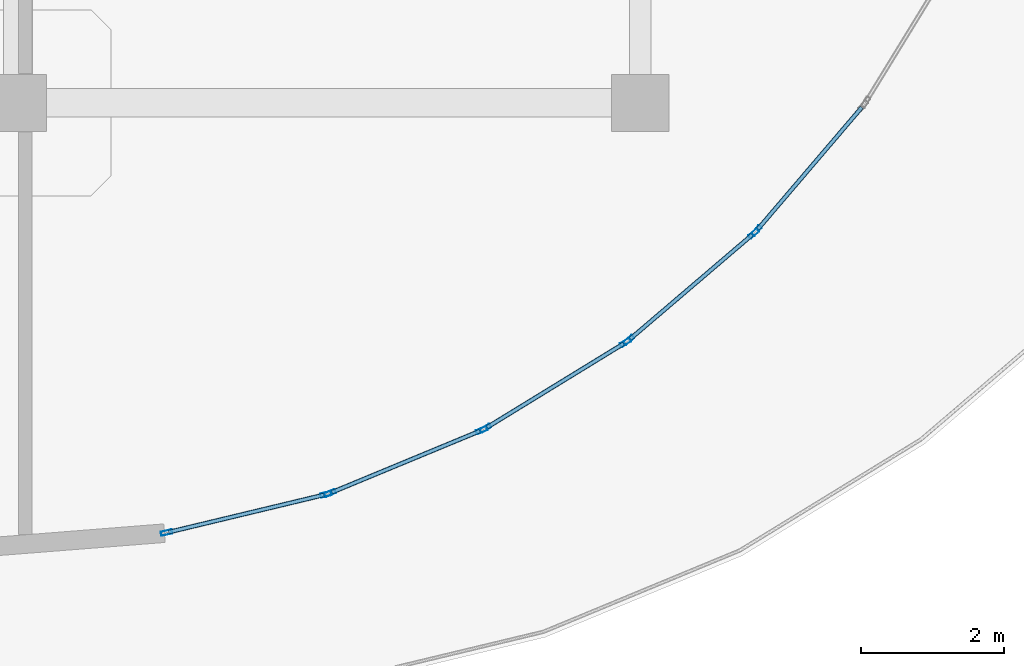
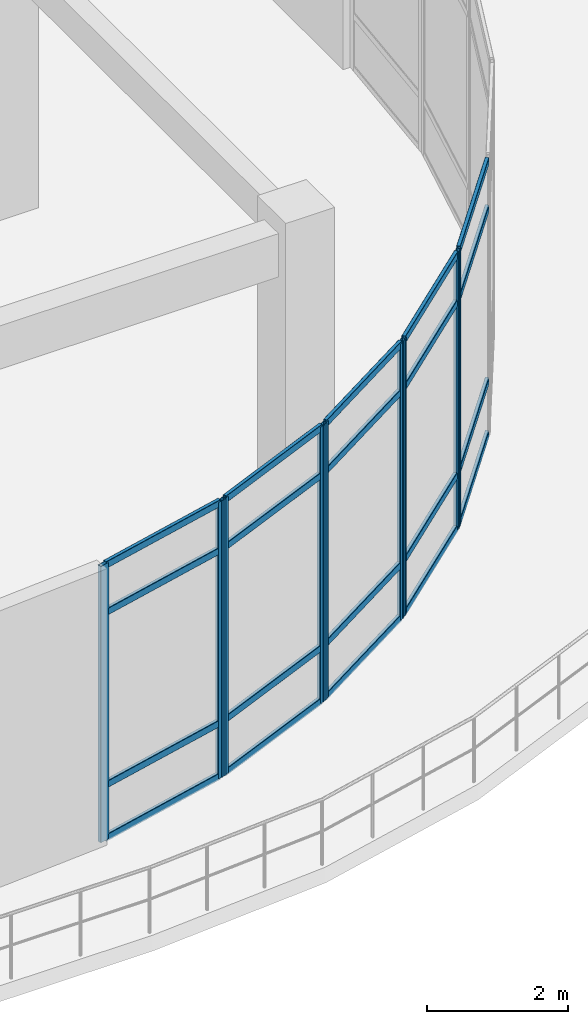
# One storey, part 71 of 124: 29 members, 5 elements without a shape of their own.
"""IFC4 building model written with IfcOpenShell, lengths in metres."""

from ifc_helpers import new_model, si_unit, derived_unit, direction, frame, origin, origin_2d, place, context, subcontext, project, spatial, hollow_rectangle, extrude, material, layer, layer_set, material_profile, profile_set, type_object, element, aggregate, save


model = new_model("IFC4")

# Units and contexts
model_context = context("Model", 3, precision=1e-05, world=origin(), true_north=direction((0.0, 1.0)))
body_context = subcontext(model_context, "Body", "Model", "MODEL_VIEW")
ifc_project = project(units=[si_unit("LENGTHUNIT", "METRE"), si_unit("AREAUNIT", "SQUARE_METRE"), si_unit("VOLUMEUNIT", "CUBIC_METRE"), si_unit("PLANEANGLEUNIT", "RADIAN"), si_unit("MASSUNIT", "GRAM", prefix="KILO"), derived_unit("THERMALTRANSMITTANCEUNIT", [(si_unit("MASSUNIT", "GRAM", prefix="KILO"), 1), (si_unit("TIMEUNIT", "SECOND"), -3), (si_unit("THERMODYNAMICTEMPERATUREUNIT", "KELVIN"), -1)])], contexts=[model_context])

# Site, building, storey
site_placement = place(None, origin())
site = spatial("IfcSite", under=ifc_project, at=site_placement, CompositionType="ELEMENT")
building_placement = place(site_placement, origin())
building = spatial("IfcBuilding", under=site, at=building_placement, Name="Qinzheling Arcade Emporium", CompositionType="ELEMENT")
storey_placement = place(building_placement, frame((0.0, 0.0, 16.5)))
storey = spatial("IfcBuildingStorey", under=building, at=storey_placement, Name="L04", CompositionType="ELEMENT", Elevation=16.5)

# Curtain wall, member
ifc_material_1 = material(Name="Anodised aluminium and solar-control double glazing", Category="aluminium")
ifc_layer = layer(ifc_material_1, 0.159912109375, Name="Anodised aluminium and solar-control double glazing", Category="aluminium")
ifc_layer_set = layer_set([ifc_layer], Name="Anodised aluminium and solar-control double glazing")
curtain_wall_type = type_object("IfcCurtainWallType", Name="Curved Ribbon Sales Curtain Wall", PredefinedType="NOTDEFINED", material=ifc_layer_set)
curtain_wall_1_placement = place(storey_placement, origin())
curtain_wall_1 = element("IfcCurtainWall", 1, at=curtain_wall_1_placement, inside=storey, type_object=curtain_wall_type, Name="Curtain Wall CW-L04-212", PredefinedType="NOTDEFINED")
ifc_material_2 = material(Name="Anodised aluminium 6063-T6", Category="aluminium")
ifc_material_profile_1 = material_profile(ifc_material_2, hollow_rectangle(XDim=0.06005859375, YDim=0.159912109375, WallThickness=0.00390625, InnerFilletRadius=0.00390625, OuterFilletRadius=0.008056640625, at=origin_2d()), Name="RHS 160x60x4", Category="aluminium")
ifc_profile_set_1 = profile_set([ifc_material_profile_1], Name="Anodised aluminium 6063-T6")
member_type_1 = type_object("IfcMemberType", Name="Curtain Wall Mullion RHS160x60", PredefinedType="MULLION", material=ifc_profile_set_1)
member_1_placement = place(storey_placement, frame((158.2265625, 6.61572265625, 0.0), z_axis=(0.0, 0.0, 1.0), x_axis=(0.760574737185, -0.649250390185, 0.0)))
member_1 = element("IfcMember", 2, at=member_1_placement, type_object=member_type_1, Name="CW02 mullion 2", PredefinedType="MULLION", context=body_context, shape_type="SweptSolid", body=[
    extrude(hollow_rectangle(XDim=0.06005859375, YDim=0.159912109375, WallThickness=0.00390625, InnerFilletRadius=0.00390625, OuterFilletRadius=0.008056640625, at=origin_2d()), origin(), (0.0, 0.0, 1.0), 4.7900390625),
])

# Curtain wall, members
curtain_wall_2_placement = place(storey_placement, origin())
curtain_wall_2 = element("IfcCurtainWall", 3, at=curtain_wall_2_placement, inside=storey, type_object=curtain_wall_type, Name="Curtain Wall CW-L04-213", PredefinedType="NOTDEFINED")
member_2_placement = place(storey_placement, frame((158.18408203125, 6.573486328125, 0.0), z_axis=(0.0, 0.0, 1.0), x_axis=(0.649250390185, -0.760574737185, 0.0)))
member_2 = element("IfcMember", 4, at=member_2_placement, type_object=member_type_1, Name="CW02 mullion 1", PredefinedType="MULLION", context=body_context, shape_type="SweptSolid", body=[
    extrude(hollow_rectangle(XDim=0.06005859375, YDim=0.159912109375, WallThickness=0.00390625, InnerFilletRadius=0.00390625, OuterFilletRadius=0.008056640625, at=origin_2d()), origin(), (0.0, 0.0, 1.0), 4.7900390625),
])
member_3_placement = place(storey_placement, frame((156.439697265625, 5.08447265625, 0.0), z_axis=(0.0, 0.0, 1.0), x_axis=(0.649250390185, -0.760574737185, 0.0)))
member_3 = element("IfcMember", 5, at=member_3_placement, type_object=member_type_1, Name="CW02 mullion 2", PredefinedType="MULLION", context=body_context, shape_type="SweptSolid", body=[
    extrude(hollow_rectangle(XDim=0.06005859375, YDim=0.159912109375, WallThickness=0.00390625, InnerFilletRadius=0.00390625, OuterFilletRadius=0.008056640625, at=origin_2d()), origin(), (0.0, 0.0, 1.0), 4.7900390625),
])

curtain_wall_3_placement = place(storey_placement, origin())
curtain_wall_3 = element("IfcCurtainWall", 6, at=curtain_wall_3_placement, inside=storey, type_object=curtain_wall_type, Name="Curtain Wall CW-L04-214", PredefinedType="NOTDEFINED")
member_4_placement = place(storey_placement, frame((156.391357421875, 5.04931640625, 0.0), z_axis=(0.0, 0.0, 1.0), x_axis=(0.522532172191, -0.852619568756, 0.0)))
member_4 = element("IfcMember", 7, at=member_4_placement, type_object=member_type_1, Name="CW02 mullion 1", PredefinedType="MULLION", context=body_context, shape_type="SweptSolid", body=[
    extrude(hollow_rectangle(XDim=0.06005859375, YDim=0.159912109375, WallThickness=0.00390625, InnerFilletRadius=0.00390625, OuterFilletRadius=0.008056640625, at=origin_2d()), origin(), (0.0, 0.0, 1.0), 4.7900390625),
])
member_5_placement = place(storey_placement, frame((154.435546875, 3.8505859375, 0.0), z_axis=(0.0, 0.0, 1.0), x_axis=(0.522532172191, -0.852619568756, 0.0)))
member_5 = element("IfcMember", 8, at=member_5_placement, type_object=member_type_1, Name="CW02 mullion 2", PredefinedType="MULLION", context=body_context, shape_type="SweptSolid", body=[
    extrude(hollow_rectangle(XDim=0.06005859375, YDim=0.159912109375, WallThickness=0.00390625, InnerFilletRadius=0.00390625, OuterFilletRadius=0.008056640625, at=origin_2d()), origin(), (0.0, 0.0, 1.0), 4.7900390625),
])

curtain_wall_4_placement = place(storey_placement, origin())
curtain_wall_4 = element("IfcCurtainWall", 9, at=curtain_wall_4_placement, inside=storey, type_object=curtain_wall_type, Name="Curtain Wall CW-L04-215", PredefinedType="NOTDEFINED")
member_6_placement = place(storey_placement, frame((154.38232421875, 3.823486328125, 0.0), z_axis=(0.0, 0.0, 1.0), x_axis=(0.382714431752, -0.923866691535, 0.0)))
member_6 = element("IfcMember", 10, at=member_6_placement, type_object=member_type_1, Name="CW02 mullion 1", PredefinedType="MULLION", context=body_context, shape_type="SweptSolid", body=[
    extrude(hollow_rectangle(XDim=0.06005859375, YDim=0.159912109375, WallThickness=0.00390625, InnerFilletRadius=0.00390625, OuterFilletRadius=0.008056640625, at=origin_2d()), origin(), (0.0, 0.0, 1.0), 4.7900390625),
])
member_7_placement = place(storey_placement, frame((152.2626953125, 2.945556640625, 0.0), z_axis=(0.0, 0.0, 1.0), x_axis=(0.382714431752, -0.923866691535, 0.0)))
member_7 = element("IfcMember", 11, at=member_7_placement, type_object=member_type_1, Name="CW02 mullion 2", PredefinedType="MULLION", context=body_context, shape_type="SweptSolid", body=[
    extrude(hollow_rectangle(XDim=0.06005859375, YDim=0.159912109375, WallThickness=0.00390625, InnerFilletRadius=0.00390625, OuterFilletRadius=0.008056640625, at=origin_2d()), origin(), (0.0, 0.0, 1.0), 4.7900390625),
])

curtain_wall_5_placement = place(storey_placement, origin())
curtain_wall_5 = element("IfcCurtainWall", 12, at=curtain_wall_5_placement, inside=storey, type_object=curtain_wall_type, Name="Curtain Wall CW-L04-216", PredefinedType="NOTDEFINED")
member_8_placement = place(storey_placement, frame((152.205810546875, 2.927001953125, 0.0), z_axis=(0.0, 0.0, 1.0), x_axis=(0.233324729854, -0.972398874145, 0.0)))
member_8 = element("IfcMember", 13, at=member_8_placement, type_object=member_type_1, Name="CW02 mullion 1", PredefinedType="MULLION", context=body_context, shape_type="SweptSolid", body=[
    extrude(hollow_rectangle(XDim=0.06005859375, YDim=0.159912109375, WallThickness=0.00390625, InnerFilletRadius=0.00390625, OuterFilletRadius=0.008056640625, at=origin_2d()), origin(), (0.0, 0.0, 1.0), 4.7900390625),
])
member_9_placement = place(storey_placement, frame((149.97607421875, 2.39208984375, 0.0), z_axis=(0.0, 0.0, 1.0), x_axis=(0.233324729854, -0.972398874145, 0.0)))
member_9 = element("IfcMember", 14, at=member_9_placement, type_object=member_type_1, Name="CW02 mullion 2", PredefinedType="MULLION", context=body_context, shape_type="SweptSolid", body=[
    extrude(hollow_rectangle(XDim=0.06005859375, YDim=0.159912109375, WallThickness=0.00390625, InnerFilletRadius=0.00390625, OuterFilletRadius=0.008056640625, at=origin_2d()), origin(), (0.0, 0.0, 1.0), 4.7900390625),
])

# Member
ifc_material_profile_2 = material_profile(ifc_material_2, hollow_rectangle(XDim=0.06005859375, YDim=0.1201171875, WallThickness=0.00390625, InnerFilletRadius=0.00390625, OuterFilletRadius=0.008056640625, at=origin_2d()), Name="RHS 120x60x4", Category="aluminium")
ifc_profile_set_2 = profile_set([ifc_material_profile_2], Name="Anodised aluminium 6063-T6")
member_type_2 = type_object("IfcMemberType", Name="Curtain Wall Transom RHS120x60", PredefinedType="USERDEFINED", material=ifc_profile_set_2)
member_10_placement = place(storey_placement, frame((159.696044921875, 8.33740234375, 0.030029296875), z_axis=(-0.649277801499, -0.760551337176, 0.0), x_axis=(0.760551337176, -0.649277801499, 0.0)))
member_10 = element("IfcMember", 15, at=member_10_placement, type_object=member_type_2, Name="CW02 transom 1.1", ObjectType="TRANSOM", PredefinedType="USERDEFINED", context=body_context, shape_type="SweptSolid", body=[
    extrude(hollow_rectangle(XDim=0.06005859375, YDim=0.1201171875, WallThickness=0.00390625, InnerFilletRadius=0.00390625, OuterFilletRadius=0.008056640625, at=origin_2d()), origin(), (0.0, 0.0, 1.0), 2.233642578125),
])

member_11_placement = place(storey_placement, frame((159.696044921875, 8.33740234375, 0.949951171875), z_axis=(-0.649277801499, -0.760551337176, 0.0), x_axis=(0.760551337176, -0.649277801499, 0.0)))
member_11 = element("IfcMember", 16, at=member_11_placement, type_object=member_type_2, Name="CW02 transom 1.2", ObjectType="TRANSOM", PredefinedType="USERDEFINED", context=body_context, shape_type="SweptSolid", body=[
    extrude(hollow_rectangle(XDim=0.06005859375, YDim=0.1201171875, WallThickness=0.00390625, InnerFilletRadius=0.00390625, OuterFilletRadius=0.008056640625, at=origin_2d()), origin(), (0.0, 0.0, 1.0), 2.233642578125),
])

member_12_placement = place(storey_placement, frame((159.696044921875, 8.33740234375, 3.93994140625), z_axis=(-0.649277801499, -0.760551337176, 0.0), x_axis=(0.760551337176, -0.649277801499, 0.0)))
member_12 = element("IfcMember", 17, at=member_12_placement, type_object=member_type_2, Name="CW02 transom 1.3", ObjectType="TRANSOM", PredefinedType="USERDEFINED", context=body_context, shape_type="SweptSolid", body=[
    extrude(hollow_rectangle(XDim=0.06005859375, YDim=0.1201171875, WallThickness=0.00390625, InnerFilletRadius=0.00390625, OuterFilletRadius=0.008056640625, at=origin_2d()), origin(), (0.0, 0.0, 1.0), 2.233642578125),
])

member_13_placement = place(storey_placement, frame((159.696044921875, 8.33740234375, 4.760009765625), z_axis=(-0.649277801499, -0.760551337176, 0.0), x_axis=(0.760551337176, -0.649277801499, 0.0)))
member_13 = element("IfcMember", 18, at=member_13_placement, type_object=member_type_2, Name="CW02 transom 1.4", ObjectType="TRANSOM", PredefinedType="USERDEFINED", context=body_context, shape_type="SweptSolid", body=[
    extrude(hollow_rectangle(XDim=0.06005859375, YDim=0.1201171875, WallThickness=0.00390625, InnerFilletRadius=0.00390625, OuterFilletRadius=0.008056640625, at=origin_2d()), origin(), (0.0, 0.0, 1.0), 2.233642578125),
])

aggregate(curtain_wall_1, [member_1, member_10, member_11, member_12, member_13])

member_14_placement = place(storey_placement, frame((158.161376953125, 6.553955078125, 0.030029296875), z_axis=(-0.76060531469, -0.649214567971, 0.0), x_axis=(0.649214567971, -0.76060531469, 0.0)))
member_14 = element("IfcMember", 19, at=member_14_placement, type_object=member_type_2, Name="CW02 transom 1.1", ObjectType="TRANSOM", PredefinedType="USERDEFINED", context=body_context, shape_type="SweptSolid", body=[
    extrude(hollow_rectangle(XDim=0.06005859375, YDim=0.1201171875, WallThickness=0.00390625, InnerFilletRadius=0.00390625, OuterFilletRadius=0.008056640625, at=origin_2d()), origin(), (0.0, 0.0, 1.0), 2.2333984375),
])

member_15_placement = place(storey_placement, frame((158.161376953125, 6.553955078125, 0.949951171875), z_axis=(-0.76060531469, -0.649214567971, 0.0), x_axis=(0.649214567971, -0.76060531469, 0.0)))
member_15 = element("IfcMember", 20, at=member_15_placement, type_object=member_type_2, Name="CW02 transom 1.2", ObjectType="TRANSOM", PredefinedType="USERDEFINED", context=body_context, shape_type="SweptSolid", body=[
    extrude(hollow_rectangle(XDim=0.06005859375, YDim=0.1201171875, WallThickness=0.00390625, InnerFilletRadius=0.00390625, OuterFilletRadius=0.008056640625, at=origin_2d()), origin(), (0.0, 0.0, 1.0), 2.2333984375),
])

member_16_placement = place(storey_placement, frame((158.161376953125, 6.553955078125, 3.93994140625), z_axis=(-0.76060531469, -0.649214567971, 0.0), x_axis=(0.649214567971, -0.76060531469, 0.0)))
member_16 = element("IfcMember", 21, at=member_16_placement, type_object=member_type_2, Name="CW02 transom 1.3", ObjectType="TRANSOM", PredefinedType="USERDEFINED", context=body_context, shape_type="SweptSolid", body=[
    extrude(hollow_rectangle(XDim=0.06005859375, YDim=0.1201171875, WallThickness=0.00390625, InnerFilletRadius=0.00390625, OuterFilletRadius=0.008056640625, at=origin_2d()), origin(), (0.0, 0.0, 1.0), 2.2333984375),
])

member_17_placement = place(storey_placement, frame((158.161376953125, 6.553955078125, 4.760009765625), z_axis=(-0.76060531469, -0.649214567971, 0.0), x_axis=(0.649214567971, -0.76060531469, 0.0)))
member_17 = element("IfcMember", 22, at=member_17_placement, type_object=member_type_2, Name="CW02 transom 1.4", ObjectType="TRANSOM", PredefinedType="USERDEFINED", context=body_context, shape_type="SweptSolid", body=[
    extrude(hollow_rectangle(XDim=0.06005859375, YDim=0.1201171875, WallThickness=0.00390625, InnerFilletRadius=0.00390625, OuterFilletRadius=0.008056640625, at=origin_2d()), origin(), (0.0, 0.0, 1.0), 2.2333984375),
])

aggregate(curtain_wall_2, [member_2, member_3, member_14, member_15, member_16, member_17])

member_18_placement = place(storey_placement, frame((156.36572265625, 5.03369140625, 0.030029296875), z_axis=(-0.852613818661, -0.522541554547, 0.0), x_axis=(0.522541554547, -0.852613818661, 0.0)))
member_18 = element("IfcMember", 23, at=member_18_placement, type_object=member_type_2, Name="CW02 transom 1.1", ObjectType="TRANSOM", PredefinedType="USERDEFINED", context=body_context, shape_type="SweptSolid", body=[
    extrude(hollow_rectangle(XDim=0.06005859375, YDim=0.1201171875, WallThickness=0.00390625, InnerFilletRadius=0.00390625, OuterFilletRadius=0.008056640625, at=origin_2d()), origin(), (0.0, 0.0, 1.0), 2.23388671875),
])

member_19_placement = place(storey_placement, frame((156.36572265625, 5.03369140625, 0.949951171875), z_axis=(-0.852613818661, -0.522541554547, 0.0), x_axis=(0.522541554547, -0.852613818661, 0.0)))
member_19 = element("IfcMember", 24, at=member_19_placement, type_object=member_type_2, Name="CW02 transom 1.2", ObjectType="TRANSOM", PredefinedType="USERDEFINED", context=body_context, shape_type="SweptSolid", body=[
    extrude(hollow_rectangle(XDim=0.06005859375, YDim=0.1201171875, WallThickness=0.00390625, InnerFilletRadius=0.00390625, OuterFilletRadius=0.008056640625, at=origin_2d()), origin(), (0.0, 0.0, 1.0), 2.23388671875),
])

member_20_placement = place(storey_placement, frame((156.36572265625, 5.03369140625, 3.93994140625), z_axis=(-0.852613818661, -0.522541554547, 0.0), x_axis=(0.522541554547, -0.852613818661, 0.0)))
member_20 = element("IfcMember", 25, at=member_20_placement, type_object=member_type_2, Name="CW02 transom 1.3", ObjectType="TRANSOM", PredefinedType="USERDEFINED", context=body_context, shape_type="SweptSolid", body=[
    extrude(hollow_rectangle(XDim=0.06005859375, YDim=0.1201171875, WallThickness=0.00390625, InnerFilletRadius=0.00390625, OuterFilletRadius=0.008056640625, at=origin_2d()), origin(), (0.0, 0.0, 1.0), 2.23388671875),
])

member_21_placement = place(storey_placement, frame((156.36572265625, 5.03369140625, 4.760009765625), z_axis=(-0.852613818661, -0.522541554547, 0.0), x_axis=(0.522541554547, -0.852613818661, 0.0)))
member_21 = element("IfcMember", 26, at=member_21_placement, type_object=member_type_2, Name="CW02 transom 1.4", ObjectType="TRANSOM", PredefinedType="USERDEFINED", context=body_context, shape_type="SweptSolid", body=[
    extrude(hollow_rectangle(XDim=0.06005859375, YDim=0.1201171875, WallThickness=0.00390625, InnerFilletRadius=0.00390625, OuterFilletRadius=0.008056640625, at=origin_2d()), origin(), (0.0, 0.0, 1.0), 2.23388671875),
])

aggregate(curtain_wall_3, [member_4, member_5, member_18, member_19, member_20, member_21])

member_22_placement = place(storey_placement, frame((154.3544921875, 3.81201171875, 0.030029296875), z_axis=(-0.923870315622, -0.382705683145, 0.0), x_axis=(0.382705683145, -0.923870315622, 0.0)))
member_22 = element("IfcMember", 27, at=member_22_placement, type_object=member_type_2, Name="CW02 transom 1.1", ObjectType="TRANSOM", PredefinedType="USERDEFINED", context=body_context, shape_type="SweptSolid", body=[
    extrude(hollow_rectangle(XDim=0.06005859375, YDim=0.1201171875, WallThickness=0.00390625, InnerFilletRadius=0.00390625, OuterFilletRadius=0.008056640625, at=origin_2d()), origin(), (0.0, 0.0, 1.0), 2.234130859375),
])

member_23_placement = place(storey_placement, frame((154.3544921875, 3.81201171875, 0.949951171875), z_axis=(-0.923870315622, -0.382705683145, 0.0), x_axis=(0.382705683145, -0.923870315622, 0.0)))
member_23 = element("IfcMember", 28, at=member_23_placement, type_object=member_type_2, Name="CW02 transom 1.2", ObjectType="TRANSOM", PredefinedType="USERDEFINED", context=body_context, shape_type="SweptSolid", body=[
    extrude(hollow_rectangle(XDim=0.06005859375, YDim=0.1201171875, WallThickness=0.00390625, InnerFilletRadius=0.00390625, OuterFilletRadius=0.008056640625, at=origin_2d()), origin(), (0.0, 0.0, 1.0), 2.234130859375),
])

member_24_placement = place(storey_placement, frame((154.3544921875, 3.81201171875, 3.93994140625), z_axis=(-0.923870315622, -0.382705683145, 0.0), x_axis=(0.382705683145, -0.923870315622, 0.0)))
member_24 = element("IfcMember", 29, at=member_24_placement, type_object=member_type_2, Name="CW02 transom 1.3", ObjectType="TRANSOM", PredefinedType="USERDEFINED", context=body_context, shape_type="SweptSolid", body=[
    extrude(hollow_rectangle(XDim=0.06005859375, YDim=0.1201171875, WallThickness=0.00390625, InnerFilletRadius=0.00390625, OuterFilletRadius=0.008056640625, at=origin_2d()), origin(), (0.0, 0.0, 1.0), 2.234130859375),
])

member_25_placement = place(storey_placement, frame((154.3544921875, 3.81201171875, 4.760009765625), z_axis=(-0.923870315622, -0.382705683145, 0.0), x_axis=(0.382705683145, -0.923870315622, 0.0)))
member_25 = element("IfcMember", 30, at=member_25_placement, type_object=member_type_2, Name="CW02 transom 1.4", ObjectType="TRANSOM", PredefinedType="USERDEFINED", context=body_context, shape_type="SweptSolid", body=[
    extrude(hollow_rectangle(XDim=0.06005859375, YDim=0.1201171875, WallThickness=0.00390625, InnerFilletRadius=0.00390625, OuterFilletRadius=0.008056640625, at=origin_2d()), origin(), (0.0, 0.0, 1.0), 2.234130859375),
])

aggregate(curtain_wall_4, [member_6, member_7, member_22, member_23, member_24, member_25])

member_26_placement = place(storey_placement, frame((152.1767578125, 2.919921875, 0.030029296875), z_axis=(-0.972401194222, -0.233315060543, 0.0), x_axis=(0.233315060543, -0.972401194222, 0.0)))
member_26 = element("IfcMember", 31, at=member_26_placement, type_object=member_type_2, Name="CW02 transom 1.1", ObjectType="TRANSOM", PredefinedType="USERDEFINED", context=body_context, shape_type="SweptSolid", body=[
    extrude(hollow_rectangle(XDim=0.06005859375, YDim=0.1201171875, WallThickness=0.00390625, InnerFilletRadius=0.00390625, OuterFilletRadius=0.008056640625, at=origin_2d()), origin(), (0.0, 0.0, 1.0), 2.23291015625),
])

member_27_placement = place(storey_placement, frame((152.1767578125, 2.919921875, 0.949951171875), z_axis=(-0.972401194222, -0.233315060543, 0.0), x_axis=(0.233315060543, -0.972401194222, 0.0)))
member_27 = element("IfcMember", 32, at=member_27_placement, type_object=member_type_2, Name="CW02 transom 1.2", ObjectType="TRANSOM", PredefinedType="USERDEFINED", context=body_context, shape_type="SweptSolid", body=[
    extrude(hollow_rectangle(XDim=0.06005859375, YDim=0.1201171875, WallThickness=0.00390625, InnerFilletRadius=0.00390625, OuterFilletRadius=0.008056640625, at=origin_2d()), origin(), (0.0, 0.0, 1.0), 2.23291015625),
])

member_28_placement = place(storey_placement, frame((152.1767578125, 2.919921875, 3.93994140625), z_axis=(-0.972401194222, -0.233315060543, 0.0), x_axis=(0.233315060543, -0.972401194222, 0.0)))
member_28 = element("IfcMember", 33, at=member_28_placement, type_object=member_type_2, Name="CW02 transom 1.3", ObjectType="TRANSOM", PredefinedType="USERDEFINED", context=body_context, shape_type="SweptSolid", body=[
    extrude(hollow_rectangle(XDim=0.06005859375, YDim=0.1201171875, WallThickness=0.00390625, InnerFilletRadius=0.00390625, OuterFilletRadius=0.008056640625, at=origin_2d()), origin(), (0.0, 0.0, 1.0), 2.23291015625),
])

member_29_placement = place(storey_placement, frame((152.1767578125, 2.919921875, 4.760009765625), z_axis=(-0.972401194222, -0.233315060543, 0.0), x_axis=(0.233315060543, -0.972401194222, 0.0)))
member_29 = element("IfcMember", 34, at=member_29_placement, type_object=member_type_2, Name="CW02 transom 1.4", ObjectType="TRANSOM", PredefinedType="USERDEFINED", context=body_context, shape_type="SweptSolid", body=[
    extrude(hollow_rectangle(XDim=0.06005859375, YDim=0.1201171875, WallThickness=0.00390625, InnerFilletRadius=0.00390625, OuterFilletRadius=0.008056640625, at=origin_2d()), origin(), (0.0, 0.0, 1.0), 2.23291015625),
])

aggregate(curtain_wall_5, [member_8, member_9, member_26, member_27, member_28, member_29])

save(model, "model.ifc")
